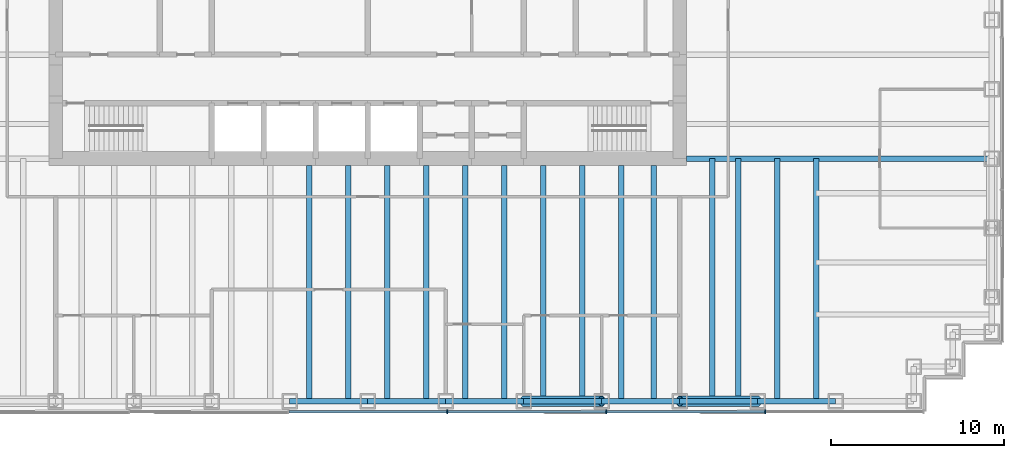
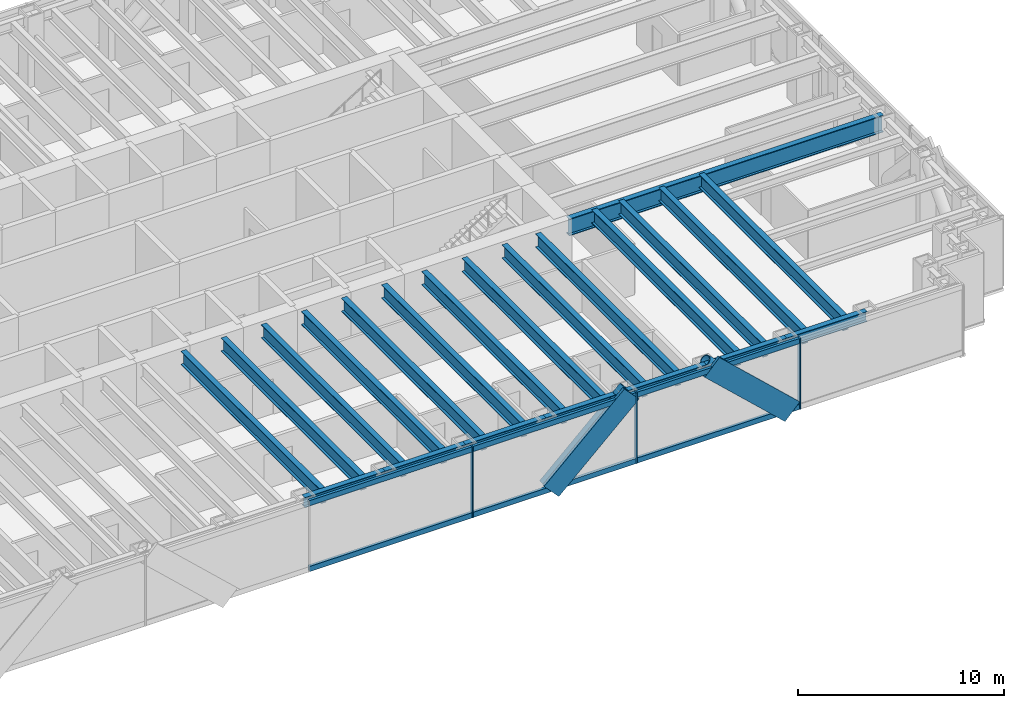
# One storey, part 3 of 17: 22 beams, 13 members, 1 element without a shape of its own.
"""IFC4 building model written with IfcOpenShell, lengths in metres."""

from ifc_helpers import new_model, si_unit, direction, frame, origin, origin_2d, place, context, subcontext, project, spatial, rectangle, hollow_circle, i_section, extrude, material, material_profile, profile_set, type_object, element, aggregate, save


model = new_model("IFC4")

# Units and contexts
model_context = context("Model", 3, precision=1e-05, world=origin(), true_north=direction((0.0, 1.0)))
body_context = subcontext(model_context, "Body", "Model", "MODEL_VIEW")
ifc_project = project(units=[si_unit("LENGTHUNIT", "METRE"), si_unit("AREAUNIT", "SQUARE_METRE"), si_unit("VOLUMEUNIT", "CUBIC_METRE"), si_unit("PLANEANGLEUNIT", "RADIAN"), si_unit("MASSUNIT", "GRAM", prefix="KILO")], contexts=[model_context])

# Site, building, storey
site_placement = place(None, origin())
site = spatial("IfcSite", under=ifc_project, at=site_placement, CompositionType="ELEMENT")
building_placement = place(site_placement, origin())
building = spatial("IfcBuilding", under=site, at=building_placement, Name="Rheinbord Bourse Tower", CompositionType="ELEMENT")
storey_placement = place(building_placement, frame((0.0, 0.0, 223.60009765625)))
storey = spatial("IfcBuildingStorey", under=building, at=storey_placement, Name="L50", CompositionType="ELEMENT", Elevation=223.60009765625)

# Curtain wall, members
ifc_material_1 = material(Name="Dark glass and black aluminium", Category="aluminium")
curtain_wall_type = type_object("IfcCurtainWallType", Name="CW2 DARK GLASS CURTAIN WALL", PredefinedType="USERDEFINED", material=ifc_material_1)
curtain_wall_placement = place(storey_placement, origin())
curtain_wall = element("IfcCurtainWall", 1, at=curtain_wall_placement, inside=storey, type_object=curtain_wall_type, Name="Curtain wall CW2 S L50", ObjectType="UNITISED CURTAIN WALL", PredefinedType="USERDEFINED")
ifc_material_2 = material(Name="Black anodised aluminium", Category="aluminium")
ifc_material_profile_1 = material_profile(ifc_material_2, rectangle(XDim=0.159912109375, YDim=1.2099609375, at=origin_2d()), Name="CW2 DIAGONAL MULLION 1210x160")
ifc_profile_set_1 = profile_set([ifc_material_profile_1], Name="Black anodised aluminium")
member_type_1 = type_object("IfcMemberType", Name="CW2 BLACK DIAGONAL MULLION", PredefinedType="USERDEFINED", material=ifc_profile_set_1)
member_1_placement = place(storey_placement, frame((45.0, 1.39990234375, 0.0), z_axis=(0.73105922506, 0.0, 0.682314010889), x_axis=(0.0, 1.0, 0.0)))
member_1 = element("IfcMember", 2, at=member_1_placement, type_object=member_type_1, Name="CW2 diagonal mullion b", ObjectType="DIAGONAL MULLION", PredefinedType="USERDEFINED", context=body_context, shape_type="SweptSolid", body=[
    extrude(rectangle(XDim=0.159912109375, YDim=1.2099609375, at=origin_2d()), origin(), (0.0, 0.0, 1.0), 6.155517578125),
])
member_2_placement = place(storey_placement, frame((58.5, 1.39990234375, 0.0), z_axis=(-0.73105922506, 0.0, 0.682314010889), x_axis=(0.0, -1.0, 0.0)))
member_2 = element("IfcMember", 3, at=member_2_placement, type_object=member_type_1, Name="CW2 diagonal mullion d", ObjectType="DIAGONAL MULLION", PredefinedType="USERDEFINED", context=body_context, shape_type="SweptSolid", body=[
    extrude(rectangle(XDim=0.159912109375, YDim=1.2099609375, at=origin_2d()), origin(), (0.0, 0.0, 1.0), 6.155517578125),
])
ifc_material_3 = material(Name="Black anodised aluminium", Category="aluminium")
ifc_material_profile_2 = material_profile(ifc_material_3, rectangle(XDim=0.219970703125, YDim=0.070068359375, at=origin_2d()), Name="CW2 MULLION 70x220")
ifc_profile_set_2 = profile_set([ifc_material_profile_2], Name="Black anodised aluminium")
member_type_2 = type_object("IfcMemberType", Name="CW2 BLACK MULLION", PredefinedType="MULLION", material=ifc_profile_set_2)
member_3_placement = place(storey_placement, frame((40.585693359375, 1.39990234375, 0.0), z_axis=(0.0, 0.0, 1.0), x_axis=(0.0, 1.0, 0.0)))
member_3 = element("IfcMember", 4, at=member_3_placement, type_object=member_type_2, Name="CW2 mullion 5", PredefinedType="MULLION", context=body_context, shape_type="SweptSolid", body=[
    extrude(rectangle(XDim=0.219970703125, YDim=0.070068359375, at=origin_2d()), origin(), (0.0, 0.0, 1.0), 4.199951171875),
])
member_4_placement = place(storey_placement, frame((49.757080078125, 1.39990234375, 0.0), z_axis=(0.0, 0.0, 1.0), x_axis=(0.0, 1.0, 0.0)))
member_4 = element("IfcMember", 5, at=member_4_placement, type_object=member_type_2, Name="CW2 mullion 6", PredefinedType="MULLION", context=body_context, shape_type="SweptSolid", body=[
    extrude(rectangle(XDim=0.219970703125, YDim=0.070068359375, at=origin_2d()), origin(), (0.0, 0.0, 1.0), 4.199951171875),
])
member_5_placement = place(storey_placement, frame((58.928466796875, 1.39990234375, 0.0), z_axis=(0.0, 0.0, 1.0), x_axis=(0.0, 1.0, 0.0)))
member_5 = element("IfcMember", 6, at=member_5_placement, type_object=member_type_2, Name="CW2 mullion 7", PredefinedType="MULLION", context=body_context, shape_type="SweptSolid", body=[
    extrude(rectangle(XDim=0.219970703125, YDim=0.070068359375, at=origin_2d()), origin(), (0.0, 0.0, 1.0), 4.199951171875),
])
ifc_material_4 = material(Name="Black anodised aluminium", Category="aluminium")
ifc_material_profile_3 = material_profile(ifc_material_4, rectangle(XDim=0.159912109375, YDim=0.300048828125, at=origin_2d()), Name="CW2 TRANSOM 300x160")
ifc_profile_set_3 = profile_set([ifc_material_profile_3], Name="Black anodised aluminium")
member_type_3 = type_object("IfcMemberType", Name="CW2 BLACK TRANSOM", PredefinedType="USERDEFINED", material=ifc_profile_set_3)
member_6_placement = place(storey_placement, frame((31.44921875, 1.39990234375, 0.14990234375), z_axis=(1.0, 0.0, 0.0), x_axis=(0.0, 1.0, 0.0)))
member_6 = element("IfcMember", 7, at=member_6_placement, type_object=member_type_3, Name="CW2 transom 4.1", ObjectType="TRANSOM", PredefinedType="USERDEFINED", context=body_context, shape_type="SweptSolid", body=[
    extrude(rectangle(XDim=0.159912109375, YDim=0.300048828125, at=origin_2d()), origin(), (0.0, 0.0, 1.0), 9.1015625),
])
member_7_placement = place(storey_placement, frame((31.44921875, 1.39990234375, 4.0498046875), z_axis=(1.0, 0.0, 0.0), x_axis=(0.0, 1.0, 0.0)))
member_7 = element("IfcMember", 8, at=member_7_placement, type_object=member_type_3, Name="CW2 transom 4.2", ObjectType="TRANSOM", PredefinedType="USERDEFINED", context=body_context, shape_type="SweptSolid", body=[
    extrude(rectangle(XDim=0.159912109375, YDim=0.300048828125, at=origin_2d()), origin(), (0.0, 0.0, 1.0), 9.1015625),
])
member_8_placement = place(storey_placement, frame((40.62060546875, 1.39990234375, 0.14990234375), z_axis=(1.0, 0.0, 0.0), x_axis=(0.0, 1.0, 0.0)))
member_8 = element("IfcMember", 9, at=member_8_placement, type_object=member_type_3, Name="CW2 transom 5.1", ObjectType="TRANSOM", PredefinedType="USERDEFINED", context=body_context, shape_type="SweptSolid", body=[
    extrude(rectangle(XDim=0.159912109375, YDim=0.300048828125, at=origin_2d()), origin(), (0.0, 0.0, 1.0), 9.1015625),
])
member_9_placement = place(storey_placement, frame((40.62060546875, 1.39990234375, 4.0498046875), z_axis=(1.0, 0.0, 0.0), x_axis=(0.0, 1.0, 0.0)))
member_9 = element("IfcMember", 10, at=member_9_placement, type_object=member_type_3, Name="CW2 transom 5.2", ObjectType="TRANSOM", PredefinedType="USERDEFINED", context=body_context, shape_type="SweptSolid", body=[
    extrude(rectangle(XDim=0.159912109375, YDim=0.300048828125, at=origin_2d()), origin(), (0.0, 0.0, 1.0), 9.1015625),
])
member_10_placement = place(storey_placement, frame((49.792236328125, 1.39990234375, 0.14990234375), z_axis=(1.0, 0.0, 0.0), x_axis=(0.0, 1.0, 0.0)))
member_10 = element("IfcMember", 11, at=member_10_placement, type_object=member_type_3, Name="CW2 transom 6.1", ObjectType="TRANSOM", PredefinedType="USERDEFINED", context=body_context, shape_type="SweptSolid", body=[
    extrude(rectangle(XDim=0.159912109375, YDim=0.300048828125, at=origin_2d()), origin(), (0.0, 0.0, 1.0), 9.101318359375),
])
member_11_placement = place(storey_placement, frame((49.792236328125, 1.39990234375, 4.0498046875), z_axis=(1.0, 0.0, 0.0), x_axis=(0.0, 1.0, 0.0)))
member_11 = element("IfcMember", 12, at=member_11_placement, type_object=member_type_3, Name="CW2 transom 6.2", ObjectType="TRANSOM", PredefinedType="USERDEFINED", context=body_context, shape_type="SweptSolid", body=[
    extrude(rectangle(XDim=0.159912109375, YDim=0.300048828125, at=origin_2d()), origin(), (0.0, 0.0, 1.0), 9.101318359375),
])
aggregate(curtain_wall, [member_3, member_4, member_5, member_6, member_7, member_8, member_9, member_10, member_11, member_1, member_2])

# Beams
ifc_material_5 = material(Name="Steel S460", Category="steel")
ifc_material_profile_4 = material_profile(ifc_material_5, i_section(OverallWidth=0.300048828125, OverallDepth=0.800048828125, WebThickness=0.017578125, FlangeThickness=0.032958984375, at=origin_2d()), Name="HEB 800")
ifc_profile_set_4 = profile_set([ifc_material_profile_4], Name="Steel S460")
beam_type_1 = type_object("IfcBeamType", Name="FLOOR BEAM HEB 800", PredefinedType="BEAM", material=ifc_profile_set_4)
for number, where, z_axis, x_axis, name in (
    (13, (32.625, 2.0, 3.639892578125), (0.0, 1.0, 0.0), (-1.0, 0.0, 0.0), "Floor beam S-31.5a L51"),
    (14, (34.875, 2.0, 3.639892578125), (0.0, 1.0, 0.0), (-1.0, 0.0, 0.0), "Floor beam S-31.5b L51"),
    (15, (37.125, 2.0, 3.639892578125), (0.0, 1.0, 0.0), (-1.0, 0.0, 0.0), "Floor beam S-36a L51"),
    (16, (39.375, 2.0, 3.639892578125), (0.0, 1.0, 0.0), (-1.0, 0.0, 0.0), "Floor beam S-36b L51"),
    (17, (41.625, 2.0, 3.639892578125), (0.0, 1.0, 0.0), (-1.0, 0.0, 0.0), "Floor beam S-40.5a L51"),
    (18, (43.875, 2.0, 3.639892578125), (0.0, 1.0, 0.0), (-1.0, 0.0, 0.0), "Floor beam S-40.5b L51"),
    (19, (46.125, 2.0, 3.639892578125), (0.0, 1.0, 0.0), (-1.0, 0.0, 0.0), "Floor beam S-45a L51"),
    (20, (48.375, 2.0, 3.639892578125), (0.0, 1.0, 0.0), (-1.0, 0.0, 0.0), "Floor beam S-45b L51"),
    (21, (50.625, 2.0, 3.639892578125), (0.0, 1.0, 0.0), (-1.0, 0.0, 0.0), "Floor beam S-49.5a L51"),
    (22, (52.5, 2.0, 3.639892578125), (0.0, 1.0, 0.0), (-1.0, 0.0, 0.0), "Floor beam S-49.5b L51"),
):
    element("IfcBeam", number, at=place(storey_placement, frame(where, z_axis=z_axis, x_axis=x_axis)), inside=storey, type_object=beam_type_1, Name=name, PredefinedType="BEAM", context=body_context, shape_type="SweptSolid", body=[
        extrude(i_section(OverallWidth=0.300048828125, OverallDepth=0.800048828125, WebThickness=0.017578125, FlangeThickness=0.032958984375, at=origin_2d()), origin(), (0.0, 0.0, 1.0), 13.60009765625),
    ])
for number, where, z_axis, x_axis, name in (
    (23, (55.875, 2.0, 3.639892578125), (0.0, 1.0, 0.0), (-1.0, 0.0, 0.0), "Floor beam S-54a L51"),
    (24, (57.375, 2.0, 3.639892578125), (0.0, 1.0, 0.0), (-1.0, 0.0, 0.0), "Floor beam S-54b L51"),
    (25, (59.625, 2.0, 3.639892578125), (0.0, 1.0, 0.0), (-1.0, 0.0, 0.0), "Floor beam S-58.5a L51"),
    (26, (61.875, 2.0, 3.639892578125), (0.0, 1.0, 0.0), (-1.0, 0.0, 0.0), "Floor beam S-58.5b L51"),
):
    element("IfcBeam", number, at=place(storey_placement, frame(where, z_axis=z_axis, x_axis=x_axis)), inside=storey, type_object=beam_type_1, Name=name, PredefinedType="BEAM", context=body_context, shape_type="SweptSolid", body=[
        extrude(i_section(OverallWidth=0.300048828125, OverallDepth=0.800048828125, WebThickness=0.017578125, FlangeThickness=0.032958984375, at=origin_2d()), origin(), (0.0, 0.0, 1.0), 14.0),
    ])
ifc_material_6 = material(Name="Steel S460", Category="steel")
ifc_material_profile_5 = material_profile(ifc_material_6, i_section(OverallWidth=0.302001953125, OverallDepth=1.008056640625, WebThickness=0.02099609375, FlangeThickness=0.0400390625, at=origin_2d()), Name="HEM 1000")
ifc_profile_set_5 = profile_set([ifc_material_profile_5], Name="Steel S460")
beam_type_2 = type_object("IfcBeamType", Name="GIRDER HEM 1000", PredefinedType="BEAM", material=ifc_profile_set_5)
beam_placement = place(storey_placement, frame((54.39990234375, 16.0, 3.535888671875), z_axis=(1.0, 0.0, 0.0), x_axis=(0.0, 1.0, 0.0)))
element("IfcBeam", 27, at=beam_placement, inside=storey, type_object=beam_type_2, Name="Girder east 16 L51", PredefinedType="BEAM", context=body_context, shape_type="SweptSolid", body=[
    extrude(i_section(OverallWidth=0.302001953125, OverallDepth=1.008056640625, WebThickness=0.02099609375, FlangeThickness=0.0400390625, at=origin_2d()), origin(), (0.0, 0.0, 1.0), 17.60009765625),
])

# Members
ifc_material_7 = material(Name="Steel S460", Category="steel")
ifc_material_profile_6 = material_profile(ifc_material_7, hollow_circle(Radius=0.304931640625, WallThickness=0.0400390625, at=origin_2d()), Name="CHS 610x40")
ifc_profile_set_6 = profile_set([ifc_material_profile_6], Name="Steel S460")
member_type_4 = type_object("IfcMemberType", Name="MEGABRACE CHS 610x40", PredefinedType="BRACE", material=ifc_profile_set_6)
for number, where, z_axis, x_axis, name in (
    (28, (45.0, 2.0, 0.0), (0.73105922506, 0.0, 0.682314010889), (0.0, 1.0, 0.0), "Megabrace S face line b L50"),
    (29, (58.5, 2.0, 0.0), (-0.73105922506, 0.0, 0.682314010889), (0.0, -1.0, 0.0), "Megabrace S face line d L50"),
):
    element("IfcMember", number, at=place(storey_placement, frame(where, z_axis=z_axis, x_axis=x_axis)), inside=storey, type_object=member_type_4, Name=name, PredefinedType="BRACE", context=body_context, shape_type="SweptSolid", body=[
        extrude(hollow_circle(Radius=0.304931640625, WallThickness=0.0400390625, at=origin_2d()), origin(), (0.0, 0.0, 1.0), 6.155517578125),
    ])

# Beams
ifc_material_8 = material(Name="Steel S460", Category="steel")
ifc_material_profile_7 = material_profile(ifc_material_8, i_section(OverallWidth=0.300048828125, OverallDepth=0.60009765625, WebThickness=0.015380859375, FlangeThickness=0.030029296875, at=origin_2d()), Name="HEB 600")
ifc_profile_set_7 = profile_set([ifc_material_profile_7], Name="Steel S460")
beam_type_3 = type_object("IfcBeamType", Name="SPANDREL HEB 600", PredefinedType="SPANDREL", material=ifc_profile_set_7)
for number, where, z_axis, x_axis, name in (
    (30, (31.5, 2.0, 3.739990234375), (1.0, 0.0, 0.0), (0.0, 1.0, 0.0), "Spandrel S-31.5-S-36 under L51"),
    (31, (36.0, 2.0, 3.739990234375), (1.0, 0.0, 0.0), (0.0, 1.0, 0.0), "Spandrel S-36-S-40.5 under L51"),
    (32, (40.5, 2.0, 3.739990234375), (1.0, 0.0, 0.0), (0.0, 1.0, 0.0), "Spandrel S-40.5-S-45 under L51"),
    (33, (45.0, 2.0, 3.739990234375), (1.0, 0.0, 0.0), (0.0, 1.0, 0.0), "Spandrel S-45-S-49.5 under L51"),
    (34, (49.5, 2.0, 3.739990234375), (1.0, 0.0, 0.0), (0.0, 1.0, 0.0), "Spandrel S-49.5-S-54 under L51"),
    (35, (54.0, 2.0, 3.739990234375), (1.0, 0.0, 0.0), (0.0, 1.0, 0.0), "Spandrel S-54-S-58.5 under L51"),
    (36, (58.5, 2.0, 3.739990234375), (1.0, 0.0, 0.0), (0.0, 1.0, 0.0), "Spandrel S-58.5-S-63 under L51"),
):
    element("IfcBeam", number, at=place(storey_placement, frame(where, z_axis=z_axis, x_axis=x_axis)), inside=storey, type_object=beam_type_3, Name=name, PredefinedType="SPANDREL", context=body_context, shape_type="SweptSolid", body=[
        extrude(i_section(OverallWidth=0.300048828125, OverallDepth=0.60009765625, WebThickness=0.015380859375, FlangeThickness=0.030029296875, at=origin_2d()), origin(), (0.0, 0.0, 1.0), 4.5),
    ])

save(model, "model.ifc")
